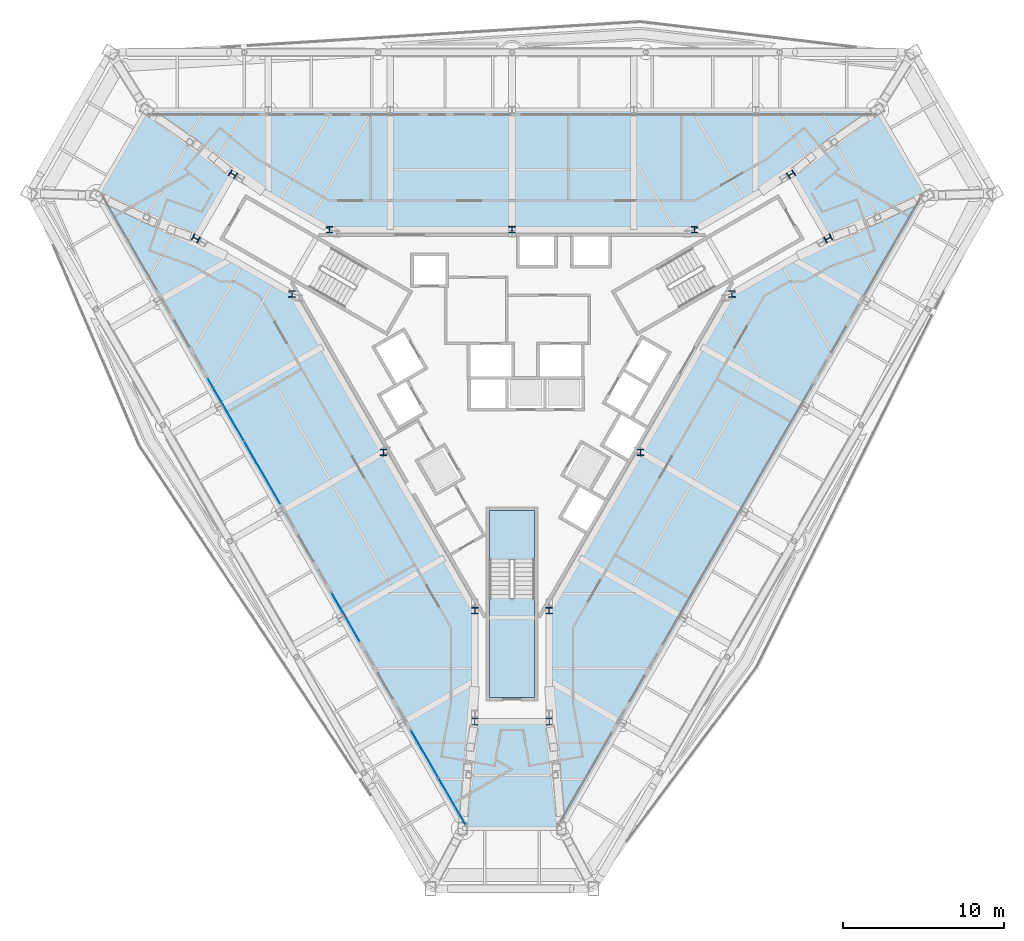
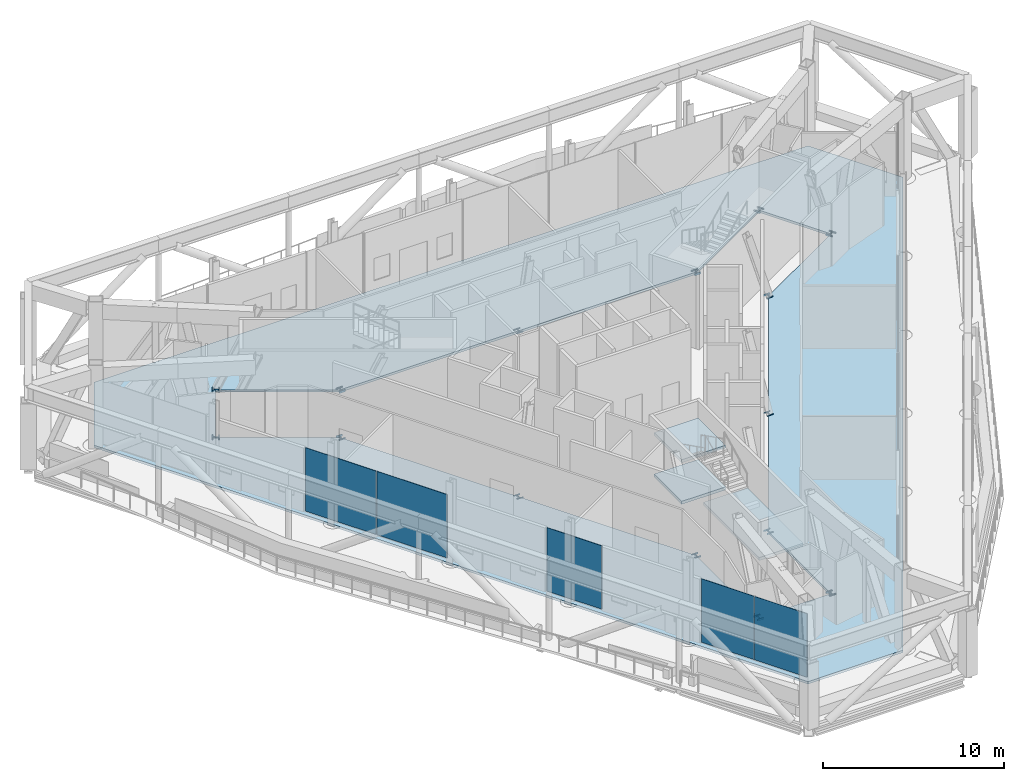
# One storey, part 13 of 25: 15 members, 5 plates, 4 slabs, 4 elements without a shape of their own.
"""IFC4 building model written with IfcOpenShell, lengths in metres."""

import ifcopenshell
import ifcopenshell.guid

model = None  # the IFC model being written
_history = None  # IfcOwnerHistory: only IFC2X3 demands one
_inside = {}  # id of a spatial element -> (the spatial element, [elements in it])
_under = {}  # id of a project, library or spatial element -> (it, [spatial elements below it])
_declared = {}  # id of a project -> (the project, [libraries it declares])
_typed = {}  # id of a type object -> (the type object, [elements of that type])
_made_of = {}  # id of a material, layer set ... -> (it, [elements and type objects made of it])


def new_model(schema):
    """Start an empty IFC model of exactly this schema.

    Asked for "IFC4X3", IfcOpenShell would pick the latest addendum, in which some entities
    have other attributes; the version numbers below select the first issue.
    IFC2X3 requires an IfcOwnerHistory on every rooted entity: one is made here for all.
    """
    global model, _history
    if schema == "IFC4X3":
        model = ifcopenshell.file(schema_version=(4, 3, 0, 0))
    else:
        model = ifcopenshell.file(schema=schema)
    _inside.clear()
    _under.clear()
    _declared.clear()
    _typed.clear()
    _made_of.clear()
    _history = None
    if model.schema == "IFC2X3":
        org = make("IfcOrganization", Name="unknown")
        user = make(
            "IfcPersonAndOrganization",
            ThePerson=make("IfcPerson", FamilyName="unknown"),
            TheOrganization=org,
        )
        app = make(
            "IfcApplication",
            ApplicationDeveloper=org,
            Version="unknown",
            ApplicationFullName="unknown",
            ApplicationIdentifier="unknown",
        )
        _history = make(
            "IfcOwnerHistory",
            OwningUser=user,
            OwningApplication=app,
            ChangeAction="ADDED",
            CreationDate=0,
        )
    return model


def make(cls, **values):
    """One entity of the class cls with the attributes given. An attribute that is None is left unset."""
    return model.create_entity(
        cls, **{name: value for name, value in values.items() if value is not None}
    )


def rooted(cls, **values):
    """An entity with a GlobalId (a new one), such as an element, a storey or a relation."""
    return make(cls, GlobalId=ifcopenshell.guid.new(), OwnerHistory=_history, **values)


def si_unit(unit_type, name, prefix=None):
    """IfcSIUnit, for example si_unit("LENGTHUNIT", "METRE", prefix="MILLI")."""
    return make("IfcSIUnit", UnitType=unit_type, Prefix=prefix, Name=name)


def assignment(units):
    """IfcUnitAssignment: the units of a project."""
    return None if units is None else make("IfcUnitAssignment", Units=units)


def point(xyz):
    """IfcCartesianPoint."""
    return None if xyz is None else make("IfcCartesianPoint", Coordinates=xyz)


def direction(xyz):
    """IfcDirection."""
    return None if xyz is None else make("IfcDirection", DirectionRatios=xyz)


def frame(location, z_axis=None, x_axis=None):
    """IfcAxis2Placement3D, a coordinate frame: its origin and axes. An axis left out is left unset."""
    return make(
        "IfcAxis2Placement3D",
        Location=point(location),
        Axis=direction(z_axis),
        RefDirection=direction(x_axis),
    )


def frame_2d(location, x_axis=None):
    """IfcAxis2Placement2D, a coordinate frame in the plane: its origin and x axis."""
    return make(
        "IfcAxis2Placement2D", Location=point(location), RefDirection=direction(x_axis)
    )


def origin():
    """The frame at (0, 0, 0) with its axes left unset."""
    return frame((0.0, 0.0, 0.0))


def origin_2d():
    """The frame at (0, 0) in the plane with its x axis left unset."""
    return frame_2d((0.0, 0.0))


def place(relative_to, where):
    """IfcLocalPlacement: puts the frame where relative to a parent placement (None: the world)."""
    return make(
        "IfcLocalPlacement", PlacementRelTo=relative_to, RelativePlacement=where
    )


def context(
    kind, dimensions, precision=None, world=None, true_north=None, identifier=None
):
    """IfcGeometricRepresentationContext, for example the 3D "Model" context."""
    return make(
        "IfcGeometricRepresentationContext",
        ContextIdentifier=identifier,
        ContextType=kind,
        CoordinateSpaceDimension=dimensions,
        Precision=precision,
        WorldCoordinateSystem=world,
        TrueNorth=true_north,
    )


def subcontext(parent, identifier, kind, view, scale=None):
    """IfcGeometricRepresentationSubContext, for example "Body" below "Model"."""
    return make(
        "IfcGeometricRepresentationSubContext",
        ContextIdentifier=identifier,
        ContextType=kind,
        ParentContext=parent,
        TargetScale=scale,
        TargetView=view,
    )


def project(units=None, contexts=None):
    """IfcProject with its units and contexts."""
    return rooted(
        "IfcProject",
        Name="project",
        RepresentationContexts=contexts,
        UnitsInContext=assignment(units),
    )


def spatial(cls, under=None, at=None, **own):
    """A site, building, storey or space (cls), placed at a placement, below another one or the project."""
    s = rooted(cls, ObjectPlacement=at, **own)
    if under is not None:
        _under.setdefault(under.id(), (under, []))[1].append(s)
    return s


def polyline(points):
    """IfcPolyline through the points."""
    return make("IfcPolyline", Points=[point(p) for p in points])


def profile(cls, at=None, kind="AREA", **sizes):
    """A parametric profile (cls). Its sizes go by their IFC names, for example OverallWidth=200.0."""
    return make(cls, ProfileType=kind, Position=at, **sizes)


def rectangle(**sizes):
    """IfcRectangleProfileDef."""
    return profile("IfcRectangleProfileDef", **sizes)


def i_section(**sizes):
    """IfcIShapeProfileDef."""
    return profile("IfcIShapeProfileDef", **sizes)


def outline(outer, holes=None, kind="AREA"):
    """IfcArbitraryClosedProfileDef: a profile drawn as a closed curve; with holes, ...WithVoids."""
    if holes is None:
        return make("IfcArbitraryClosedProfileDef", ProfileType=kind, OuterCurve=outer)
    return make(
        "IfcArbitraryProfileDefWithVoids",
        ProfileType=kind,
        OuterCurve=outer,
        InnerCurves=holes,
    )


def extrude(swept, where, along, depth):
    """IfcExtrudedAreaSolid: the profile swept, set in the frame where, extruded along a direction by depth."""
    return make(
        "IfcExtrudedAreaSolid",
        SweptArea=swept,
        Position=where,
        ExtrudedDirection=direction(along),
        Depth=depth,
    )


def shape(context_of_items, identifier, shape_type, items):
    """IfcShapeRepresentation: the items that make up one representation, for example the "Body"."""
    return make(
        "IfcShapeRepresentation",
        ContextOfItems=context_of_items,
        RepresentationIdentifier=identifier,
        RepresentationType=shape_type,
        Items=items,
    )


def material(Name=None, Category=None):
    """IfcMaterial."""
    return make("IfcMaterial", Name=Name, Category=Category)


def layer(
    of_material, thickness, ventilated=None, Name=None, Category=None, Priority=None
):
    """IfcMaterialLayer: one layer of a wall or slab, of a material (None: an air gap)."""
    return make(
        "IfcMaterialLayer",
        Material=of_material,
        LayerThickness=thickness,
        IsVentilated=ventilated,
        Name=Name,
        Category=Category,
        Priority=Priority,
    )


def layer_set(layers, Name=None):
    """IfcMaterialLayerSet."""
    return make("IfcMaterialLayerSet", MaterialLayers=layers, LayerSetName=Name)


def material_profile(
    of_material, cross_section, Name=None, Category=None, Priority=None
):
    """IfcMaterialProfile: a cross section and its material."""
    return make(
        "IfcMaterialProfile",
        Name=Name,
        Material=of_material,
        Profile=cross_section,
        Priority=Priority,
        Category=Category,
    )


def profile_set(profiles, Name=None, composite=None):
    """IfcMaterialProfileSet."""
    return make(
        "IfcMaterialProfileSet",
        Name=Name,
        MaterialProfiles=profiles,
        CompositeProfile=composite,
    )


def made_of(thing, what):
    """Note that an element or type object is made of a material, layer set ...; save() writes the relation."""
    if what is not None:
        _made_of.setdefault(what.id(), (what, []))[1].append(thing)
    return thing


def type_object(cls, material=None, **own):
    """A type object (cls), such as IfcWallType, which elements share."""
    return made_of(rooted(cls, **own), material)


def element(
    cls,
    number,
    at=None,
    inside=None,
    cuts=None,
    type_object=None,
    material=None,
    context=None,
    identifier="Body",
    shape_type=None,
    held_by="IfcProductDefinitionShape",
    body=None,
    shapes=None,
    **own,
):
    """One element of the class cls, such as IfcWall. Its Tag is "e" and its number.

    at: its placement. inside: the storey or other place that contains it. cuts: it is an
    opening in that element (IfcRelVoidsElement). A single representation is given by context,
    identifier, shape_type and body (its items); several are given by shapes. held_by: the class
    of the entity that holds the representations. save() writes the other relations.
    """
    e = rooted(cls, Tag="e%d" % number, ObjectPlacement=at, **own)
    if body is not None:
        shapes = [shape(context, identifier, shape_type, body)]
    if shapes is not None:
        e.Representation = make(held_by, Representations=shapes)
    if inside is not None:
        _inside.setdefault(inside.id(), (inside, []))[1].append(e)
    if cuts is not None:
        rooted(
            "IfcRelVoidsElement", RelatingBuildingElement=cuts, RelatedOpeningElement=e
        )
    if type_object is not None:
        _typed.setdefault(type_object.id(), (type_object, []))[1].append(e)
    return made_of(e, material)


def aggregate(whole, parts):
    """IfcRelAggregates: a whole, such as a stair, and the parts it consists of."""
    return rooted("IfcRelAggregates", RelatingObject=whole, RelatedObjects=parts)


def save(model, path):
    """Write the relations noted so far, then the file.

    IfcRelAggregates (storeys below a building ...), IfcRelContainedInSpatialStructure (elements
    in a storey), IfcRelDefinesByType, IfcRelAssociatesMaterial and IfcRelDeclares: one each for
    every whole, place, type object, material and project.
    """
    for whole, parts in _under.values():
        aggregate(whole, parts)
    for where, things in _inside.values():
        rooted(
            "IfcRelContainedInSpatialStructure",
            RelatedElements=things,
            RelatingStructure=where,
        )
    for kind, things in _typed.values():
        rooted("IfcRelDefinesByType", RelatedObjects=things, RelatingType=kind)
    for what, things in _made_of.values():
        rooted("IfcRelAssociatesMaterial", RelatedObjects=things, RelatingMaterial=what)
    for by, libraries in _declared.values():
        rooted("IfcRelDeclares", RelatingContext=by, RelatedDefinitions=libraries)
    model.write(path)


model = new_model("IFC4")

# Units and contexts
model_context = context("Model", 3, precision=1e-05, world=origin(), true_north=direction((0.0, 1.0)))
body_context = subcontext(model_context, "Body", "Model", "MODEL_VIEW")
ifc_project = project(units=[si_unit("LENGTHUNIT", "METRE"), si_unit("AREAUNIT", "SQUARE_METRE"), si_unit("VOLUMEUNIT", "CUBIC_METRE"), si_unit("PLANEANGLEUNIT", "RADIAN"), si_unit("MASSUNIT", "GRAM", prefix="KILO")], contexts=[model_context])

# Site, building, storey
site_placement = place(None, origin())
site = spatial("IfcSite", under=ifc_project, at=site_placement, CompositionType="ELEMENT")
building_placement = place(site_placement, origin())
building = spatial("IfcBuilding", under=site, at=building_placement, Name="Verrane Prism Tower", CompositionType="ELEMENT")
storey_placement = place(building_placement, frame((0.0, 0.0, 143.199951171875)))
storey = spatial("IfcBuildingStorey", under=building, at=storey_placement, Name="L35", CompositionType="ELEMENT", Elevation=143.199951171875)

# Members
ifc_material_1 = material(Name="Steel A992", Category="steel")
ifc_material_profile_1 = material_profile(ifc_material_1, i_section(OverallWidth=0.4013671875, OverallDepth=0.398681640625, WebThickness=0.02490234375, FlangeThickness=0.03955078125, FilletRadius=0.01513671875, at=origin_2d()), Name="W14x211")
ifc_profile_set_1 = profile_set([ifc_material_profile_1], Name="Steel A992")
member_type_1 = type_object("IfcMemberType", Name="Kink node W14x211", PredefinedType="COLLAR", material=ifc_profile_set_1)
member_placement = place(storey_placement, frame((0.0, 9.1962890625, -0.034912109375), z_axis=(0.0, 0.0, 1.0), x_axis=(1.0, 0.0, 0.0)))
element("IfcMember", 1, at=member_placement, inside=storey, type_object=member_type_1, Name="Kink node CC3 L35", PredefinedType="COLLAR", context=body_context, shape_type="SweptSolid", body=[
    extrude(i_section(OverallWidth=0.4013671875, OverallDepth=0.398681640625, WebThickness=0.02490234375, FlangeThickness=0.03955078125, FilletRadius=0.01513671875, at=origin_2d()), origin(), (0.0, 0.0, 1.0), 0.070068359375),
])
for number, where, z_axis, x_axis, name in (
    (2, (13.617919921875, 5.212890625, -0.06494140625), (0.0, 0.0, 1.0), (1.0, 0.0, 0.0), "Kink node CC3 L35"),
    (3, (11.318115234375, 9.193115234375, -0.06494140625), (0.0, 0.0, 1.0), (1.0, 0.0, 0.0), "Kink node CC3 L35"),
    (4, (-11.318115234375, 9.193115234375, -0.06494140625), (0.0, 0.0, 1.0), (1.0, 0.0, 0.0), "Kink node CC3 L35"),
    (5, (-13.617919921875, 5.212890625, -0.06494140625), (0.0, 0.0, 1.0), (1.0, 0.0, 0.0), "Kink node CC3 L35"),
):
    element("IfcMember", number, at=place(storey_placement, frame(where, z_axis=z_axis, x_axis=x_axis)), inside=storey, type_object=member_type_1, Name=name, PredefinedType="COLLAR", context=body_context, shape_type="SweptSolid", body=[
        extrude(i_section(OverallWidth=0.4013671875, OverallDepth=0.398681640625, WebThickness=0.02490234375, FlangeThickness=0.03955078125, FilletRadius=0.01513671875, at=origin_2d()), origin(), (0.0, 0.0, 1.0), 0.1298828125),
    ])
for number, where, z_axis, x_axis, name in (
    (6, (7.96630859375, -4.597900390625, -0.0400390625), (0.0, 0.0, 1.0), (1.0, 0.0, 0.0), "Kink node CC3 L35"),
    (7, (-7.96630859375, -4.597900390625, -0.0400390625), (0.0, 0.0, 1.0), (1.0, 0.0, 0.0), "Kink node CC3 L35"),
):
    element("IfcMember", number, at=place(storey_placement, frame(where, z_axis=z_axis, x_axis=x_axis)), inside=storey, type_object=member_type_1, Name=name, PredefinedType="COLLAR", context=body_context, shape_type="SweptSolid", body=[
        extrude(i_section(OverallWidth=0.4013671875, OverallDepth=0.398681640625, WebThickness=0.02490234375, FlangeThickness=0.03955078125, FilletRadius=0.01513671875, at=origin_2d()), origin(), (0.0, 0.0, 1.0), 0.080078125),
    ])
for number, where, z_axis, x_axis, name in (
    (8, (-2.300048828125, -14.4091796875, -0.050048828125), (0.0, 0.0, 1.0), (1.0, 0.0, 0.0), "Kink node CC3 L35"),
    (9, (2.300048828125, -14.4091796875, -0.050048828125), (0.0, 0.0, 1.0), (1.0, 0.0, 0.0), "Kink node CC3 L35"),
):
    element("IfcMember", number, at=place(storey_placement, frame(where, z_axis=z_axis, x_axis=x_axis)), inside=storey, type_object=member_type_1, Name=name, PredefinedType="COLLAR", context=body_context, shape_type="SweptSolid", body=[
        extrude(i_section(OverallWidth=0.4013671875, OverallDepth=0.398681640625, WebThickness=0.02490234375, FlangeThickness=0.03955078125, FilletRadius=0.01513671875, at=origin_2d()), origin(), (0.0, 0.0, 1.0), 0.10009765625),
    ])
ifc_material_2 = material(Name="Steel A992", Category="steel")
ifc_material_profile_2 = material_profile(ifc_material_2, i_section(OverallWidth=0.411376953125, OverallDepth=0.434326171875, WebThickness=0.035888671875, FlangeThickness=0.057373046875, FilletRadius=0.01513671875, at=origin_2d()), Name="W14x311")
ifc_profile_set_2 = profile_set([ifc_material_profile_2], Name="Steel A992")
member_type_2 = type_object("IfcMemberType", Name="Kink node W14x311", PredefinedType="COLLAR", material=ifc_profile_set_2)
for number, where, z_axis, x_axis, name in (
    (10, (19.58984375, 8.654052734375, -0.054931640625), (0.0, 0.0, 1.0), (0.5, -0.866025403784, 0.0), "Kink node CK3 L35"),
    (11, (17.289794921875, 12.634033203125, -0.054931640625), (0.0, 0.0, 1.0), (0.5, -0.866025403784, 0.0), "Kink node CK3 L35"),
    (12, (-17.289794921875, 12.634033203125, -0.054931640625), (0.0, 0.0, 1.0), (0.5, 0.866025403784, 0.0), "Kink node CK3 L35"),
    (13, (-19.58984375, 8.654052734375, -0.054931640625), (0.0, 0.0, 1.0), (0.5, 0.866025403784, 0.0), "Kink node CK3 L35"),
    (14, (-2.300048828125, -21.2880859375, -0.054931640625), (0.0, 0.0, 1.0), (-1.0, 0.0, 0.0), "Kink node CK3 L35"),
    (15, (2.300048828125, -21.2880859375, -0.054931640625), (0.0, 0.0, 1.0), (-1.0, 0.0, 0.0), "Kink node CK3 L35"),
):
    element("IfcMember", number, at=place(storey_placement, frame(where, z_axis=z_axis, x_axis=x_axis)), inside=storey, type_object=member_type_2, Name=name, PredefinedType="COLLAR", context=body_context, shape_type="SweptSolid", body=[
        extrude(i_section(OverallWidth=0.411376953125, OverallDepth=0.434326171875, WebThickness=0.035888671875, FlangeThickness=0.057373046875, FilletRadius=0.01513671875, at=origin_2d()), origin(), (0.0, 0.0, 1.0), 0.10986328125),
    ])

# Slab
ifc_material_3 = material(Name="Concrete C35/45", Category="concrete")
ifc_layer_1 = layer(ifc_material_3, 0.159912109375)
ifc_layer_set_1 = layer_set([ifc_layer_1], Name="Composite floor slab")
slab_type_1 = type_object("IfcSlabType", Name="Composite floor slab", PredefinedType="FLOOR", material=ifc_layer_set_1)
slab_1_placement = place(storey_placement, frame((0.0, 0.0, -0.159912109375)))
element("IfcSlab", 16, at=slab_1_placement, inside=storey, type_object=slab_type_1, Name="Floor slab L35", PredefinedType="FLOOR", context=body_context, shape_type="SweptSolid", body=[
    extrude(outline(polyline([(-3.031005859375, -28.011962890625), (-25.774658203125, 11.380859375), (-22.743408203125, 16.631103515625), (22.743408203125, 16.631103515625), (25.774658203125, 11.380859375), (3.031005859375, -28.011962890625), (-3.031005859375, -28.011962890625)]), holes=[polyline([(17.300048828125, 12.639892578125), (11.330078125, 9.199951171875), (0.0, 9.199951171875), (-11.330078125, 9.199951171875), (-17.300048828125, 12.639892578125), (-19.60009765625, 8.659912109375), (-13.6298828125, 5.219970703125), (-7.969970703125, -4.60009765625), (-2.300048828125, -14.419921875), (-2.300048828125, -21.300048828125), (2.300048828125, -21.300048828125), (2.300048828125, -14.419921875), (7.969970703125, -4.60009765625), (13.6298828125, 5.219970703125), (19.60009765625, 8.659912109375), (17.300048828125, 12.639892578125)])]), origin(), (0.0, 0.0, 1.0), 0.159912109375),
])

# Curtain wall, plates
ifc_material_4 = material(Name="Aluminium framed insulated glazing", Category="aluminium")
curtain_wall_type = type_object("IfcCurtainWallType", Name="Curtain wall CW-C 4200 module", PredefinedType="NOTDEFINED", material=ifc_material_4)
curtain_wall_1_placement = place(storey_placement, origin())
curtain_wall_1 = element("IfcCurtainWall", 17, at=curtain_wall_1_placement, inside=storey, type_object=curtain_wall_type, Name="Refuge lounge glazing south-west face L35 2", PredefinedType="NOTDEFINED")
ifc_material_5 = material(Name="Low-iron insulating glass unit", Category="glass")
ifc_layer_2 = layer(ifc_material_5, 0.02392578125)
ifc_layer_set_2 = layer_set([ifc_layer_2], Name="Glazing panel IGU 24")
plate_type = type_object("IfcPlateType", Name="Glazing panel IGU 24", PredefinedType="CURTAIN_PANEL", material=ifc_layer_set_2)
plate_1_placement = place(storey_placement, frame((-17.734619140625, -1.94482421875, 0.050048828125), z_axis=(0.0, 0.0, 1.0), x_axis=(0.500003911438, -0.866023145503, 0.0)))
plate_1 = element("IfcPlate", 18, at=plate_1_placement, type_object=plate_type, Name="CW35.4.2 panel 1", PredefinedType="CURTAIN_PANEL", context=body_context, shape_type="SweptSolid", body=[
    extrude(rectangle(XDim=4.48193359375, YDim=0.02392578125, at=origin_2d()), origin(), (0.0, 0.0, 1.0), 4.2724609375),
])
plate_2_placement = place(storey_placement, frame((-15.46875, -5.869384765625, 0.050048828125), z_axis=(0.0, 0.0, 1.0), x_axis=(0.500003911438, -0.866023145503, 0.0)))
plate_2 = element("IfcPlate", 19, at=plate_2_placement, type_object=plate_type, Name="CW35.4.2 panel 2", PredefinedType="CURTAIN_PANEL", context=body_context, shape_type="SweptSolid", body=[
    extrude(rectangle(XDim=4.48193359375, YDim=0.02392578125, at=origin_2d()), origin(), (0.0, 0.0, 1.0), 4.2724609375),
])
aggregate(curtain_wall_1, [plate_1, plate_2])

# Curtain wall, plate
curtain_wall_2_placement = place(storey_placement, origin())
curtain_wall_2 = element("IfcCurtainWall", 20, at=curtain_wall_2_placement, inside=storey, type_object=curtain_wall_type, Name="Refuge lounge glazing south-west face L35 3", PredefinedType="NOTDEFINED")
plate_3_placement = place(storey_placement, frame((-10.299560546875, -14.822509765625, 0.050048828125), z_axis=(0.0, 0.0, 1.0), x_axis=(0.499990454503, -0.86603091481, 0.0)))
plate_3 = element("IfcPlate", 21, at=plate_3_placement, type_object=plate_type, Name="CW35.4.3 panel 1", PredefinedType="CURTAIN_PANEL", context=body_context, shape_type="SweptSolid", body=[
    extrude(rectangle(XDim=3.474365234375, YDim=0.02392578125, at=origin_2d()), origin(), (0.0, 0.0, 1.0), 4.2724609375),
])
aggregate(curtain_wall_2, [plate_3])

# Curtain wall, plates
curtain_wall_3_placement = place(storey_placement, origin())
curtain_wall_3 = element("IfcCurtainWall", 22, at=curtain_wall_3_placement, inside=storey, type_object=curtain_wall_type, Name="Refuge lounge glazing south-west face L35 4", PredefinedType="NOTDEFINED")
plate_4_placement = place(storey_placement, frame((-5.4150390625, -23.282470703125, 0.050048828125), z_axis=(0.0, 0.0, 1.0), x_axis=(0.499996811352, -0.866027244743, 0.0)))
plate_4 = element("IfcPlate", 23, at=plate_4_placement, type_object=plate_type, Name="CW35.4.4 panel 1", PredefinedType="CURTAIN_PANEL", context=body_context, shape_type="SweptSolid", body=[
    extrude(rectangle(XDim=3.343017578125, YDim=0.02392578125, at=origin_2d()), origin(), (0.0, 0.0, 1.0), 4.2724609375),
])
plate_5_placement = place(storey_placement, frame((-3.71875, -26.220947265625, 0.050048828125), z_axis=(0.0, 0.0, 1.0), x_axis=(0.499996811352, -0.866027244743, 0.0)))
plate_5 = element("IfcPlate", 24, at=plate_5_placement, type_object=plate_type, Name="CW35.4.4 panel 2", PredefinedType="CURTAIN_PANEL", context=body_context, shape_type="SweptSolid", body=[
    extrude(rectangle(XDim=3.343017578125, YDim=0.02392578125, at=origin_2d()), origin(), (0.0, 0.0, 1.0), 4.2724609375),
])
aggregate(curtain_wall_3, [plate_4, plate_5])

# Stair, slabs
ifc_material_6 = material(Name="Concrete C40/50", Category="concrete")
stair_type = type_object("IfcStairType", Name="Exit stair 1300 dog-leg precast concrete C40/50", PredefinedType="HALF_TURN_STAIR", material=ifc_material_6)
stair_placement = place(storey_placement, origin())
stair = element("IfcStair", 25, at=stair_placement, inside=storey, type_object=stair_type, Name="Stair 3 L35", PredefinedType="HALF_TURN_STAIR")
ifc_material_7 = material(Name="Concrete C40/50", Category="concrete")
ifc_layer_3 = layer(ifc_material_7, 0.199951171875)
ifc_layer_set_3 = layer_set([ifc_layer_3], Name="Stair landing 200 precast concrete C40/50")
slab_type_2 = type_object("IfcSlabType", Name="Stair landing 200 precast concrete C40/50", PredefinedType="LANDING", material=ifc_layer_set_3)
slab_2_placement = place(storey_placement, frame((0.0, 0.0, 1.199951171875)))
slab_2 = element("IfcSlab", 26, at=slab_2_placement, type_object=slab_type_2, Name="Stair 3 landing 1", PredefinedType="LANDING", context=body_context, shape_type="SweptSolid", body=[
    extrude(outline(polyline([(1.39990234375, -11.239990234375), (1.39990234375, -8.199951171875), (-1.39990234375, -8.199951171875), (-1.39990234375, -11.239990234375), (1.39990234375, -11.239990234375)])), origin(), (0.0, 0.0, 1.0), 0.2001953125),
])
slab_3_placement = place(storey_placement, frame((0.0, 0.0, 2.60009765625)))
slab_3 = element("IfcSlab", 27, at=slab_3_placement, type_object=slab_type_2, Name="Stair 3 landing 2", PredefinedType="LANDING", context=body_context, shape_type="SweptSolid", body=[
    extrude(outline(polyline([(1.39990234375, -19.800048828125), (1.39990234375, -13.639892578125), (-1.39990234375, -13.639892578125), (-1.39990234375, -19.800048828125), (1.39990234375, -19.800048828125)])), origin(), (0.0, 0.0, 1.0), 0.199951171875),
])
slab_4_placement = place(storey_placement, frame((0.0, 0.0, 4.0)))
slab_4 = element("IfcSlab", 28, at=slab_4_placement, type_object=slab_type_2, Name="Stair 3 landing 3", PredefinedType="LANDING", context=body_context, shape_type="SweptSolid", body=[
    extrude(outline(polyline([(1.39990234375, -11.239990234375), (1.39990234375, -8.199951171875), (-1.39990234375, -8.199951171875), (-1.39990234375, -11.239990234375), (1.39990234375, -11.239990234375)])), origin(), (0.0, 0.0, 1.0), 0.199951171875),
])
aggregate(stair, [slab_2, slab_3, slab_4])

save(model, "model.ifc")
